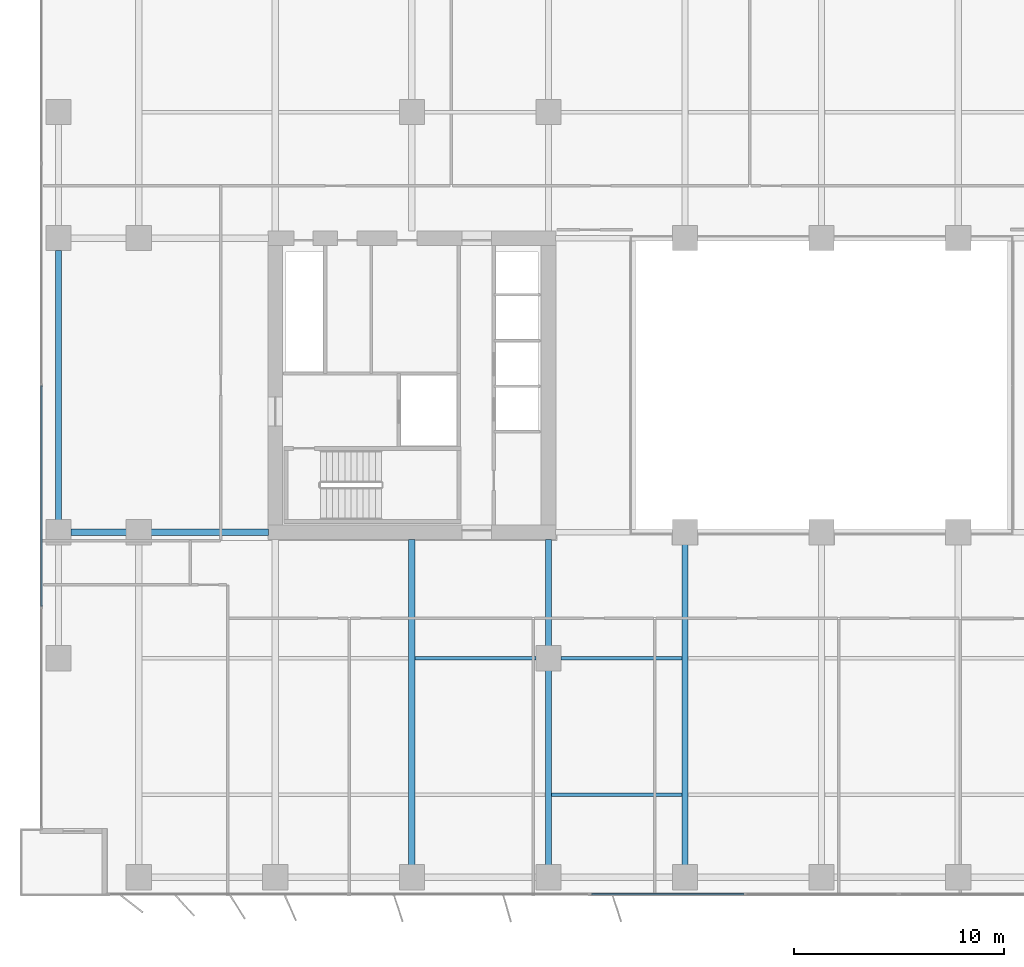
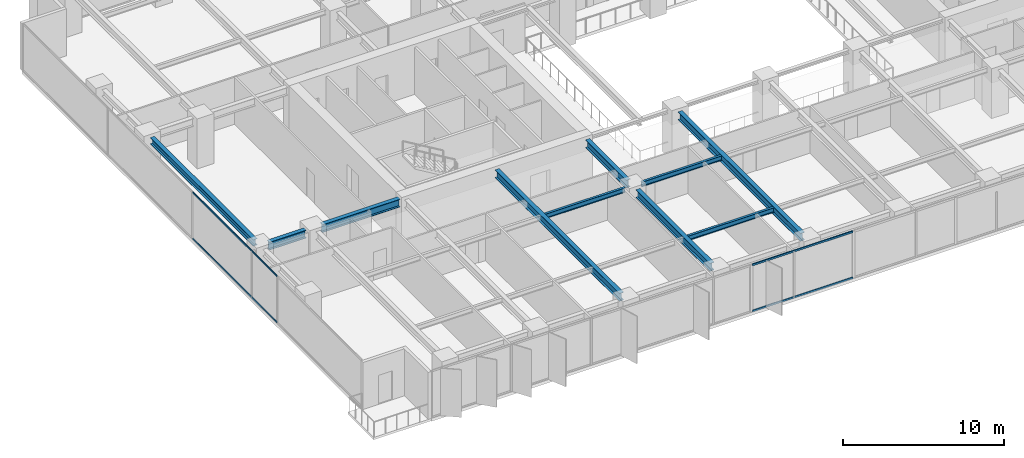
# One storey, part 3 of 20: 10 beams, 4 members, 2 elements without a shape of their own.
"""IFC4 building model written with IfcOpenShell, lengths in metres."""

from ifc_helpers import new_model, si_unit, direction, frame, origin, origin_2d, place, context, subcontext, project, spatial, rectangle, i_section, extrude, material, layer, layer_set, material_profile, profile_set, type_object, element, aggregate, save


model = new_model("IFC4")

# Units and contexts
model_context = context("Model", 3, precision=1e-05, world=origin(), true_north=direction((0.0, 1.0)))
body_context = subcontext(model_context, "Body", "Model", "MODEL_VIEW")
ifc_project = project(units=[si_unit("LENGTHUNIT", "METRE"), si_unit("AREAUNIT", "SQUARE_METRE"), si_unit("VOLUMEUNIT", "CUBIC_METRE"), si_unit("PLANEANGLEUNIT", "RADIAN"), si_unit("MASSUNIT", "GRAM", prefix="KILO")], contexts=[model_context])

# Site, building, storey
site_placement = place(None, origin())
site = spatial("IfcSite", under=ifc_project, at=site_placement, CompositionType="ELEMENT")
building_placement = place(site_placement, origin())
building = spatial("IfcBuilding", under=site, at=building_placement, Name="Putna Gate Headquarters", CompositionType="ELEMENT")
storey_placement = place(building_placement, frame((0.0, 0.0, 97.39990234375)))
storey = spatial("IfcBuildingStorey", under=building, at=storey_placement, Name="L23", CompositionType="ELEMENT", Elevation=97.39990234375)

# Beams
ifc_material_1 = material(Name="Steel S355J2", Category="steel")
ifc_material_profile_1 = material_profile(ifc_material_1, i_section(OverallWidth=0.300048828125, OverallDepth=0.60009765625, WebThickness=0.015380859375, FlangeThickness=0.030029296875, at=origin_2d()), Name="Steel S355J2")
ifc_profile_set_1 = profile_set([ifc_material_profile_1], Name="Steel S355J2")
beam_type_1 = type_object("IfcBeamType", Name="BM-GIRD-Z2-HEB600", PredefinedType="USERDEFINED", material=ifc_profile_set_1)
beam_1_placement = place(storey_placement, frame((3.26806640625, 19.0, 3.26513671875), z_axis=(1.0, 0.0, 0.0), x_axis=(0.0, 1.0, 0.0)))
element("IfcBeam", 1, at=beam_1_placement, inside=storey, type_object=beam_type_1, Name="L23 West Wing Girder Y19-1", ObjectType="GIRDER", PredefinedType="USERDEFINED", context=body_context, shape_type="SweptSolid", body=[
    extrude(i_section(OverallWidth=0.300048828125, OverallDepth=0.60009765625, WebThickness=0.015380859375, FlangeThickness=0.030029296875, at=origin_2d()), origin(), (0.0, 0.0, 1.0), 2.64404296875),
])
beam_2_placement = place(storey_placement, frame((7.087890625, 19.0, 3.26513671875), z_axis=(1.0, 0.0, 0.0), x_axis=(0.0, 1.0, 0.0)))
element("IfcBeam", 2, at=beam_2_placement, inside=storey, type_object=beam_type_1, Name="L23 West Wing Girder Y19-2", ObjectType="GIRDER", PredefinedType="USERDEFINED", context=body_context, shape_type="SweptSolid", body=[
    extrude(i_section(OverallWidth=0.300048828125, OverallDepth=0.60009765625, WebThickness=0.015380859375, FlangeThickness=0.030029296875, at=origin_2d()), origin(), (0.0, 0.0, 1.0), 5.5771484375),
])
beam_3_placement = place(storey_placement, frame((19.5, 3.16796875, 3.26513671875), z_axis=(0.0, 1.0, 0.0), x_axis=(-1.0, 0.0, 0.0)))
element("IfcBeam", 3, at=beam_3_placement, inside=storey, type_object=beam_type_1, Name="L23 South Primary Girder X19", ObjectType="GIRDER", PredefinedType="USERDEFINED", context=body_context, shape_type="SweptSolid", body=[
    extrude(i_section(OverallWidth=0.300048828125, OverallDepth=0.60009765625, WebThickness=0.015380859375, FlangeThickness=0.030029296875, at=origin_2d()), origin(), (0.0, 0.0, 1.0), 15.4970703125),
])
beam_4_placement = place(storey_placement, frame((26.0, 3.16796875, 3.26513671875), z_axis=(0.0, 1.0, 0.0), x_axis=(-1.0, 0.0, 0.0)))
element("IfcBeam", 4, at=beam_4_placement, inside=storey, type_object=beam_type_1, Name="L23 South Primary Girder X26-1", ObjectType="GIRDER", PredefinedType="USERDEFINED", context=body_context, shape_type="SweptSolid", body=[
    extrude(i_section(OverallWidth=0.300048828125, OverallDepth=0.60009765625, WebThickness=0.015380859375, FlangeThickness=0.030029296875, at=origin_2d()), origin(), (0.0, 0.0, 1.0), 9.244140625),
])
beam_5_placement = place(storey_placement, frame((26.0, 13.587890625, 3.26513671875), z_axis=(0.0, 1.0, 0.0), x_axis=(-1.0, 0.0, 0.0)))
element("IfcBeam", 5, at=beam_5_placement, inside=storey, type_object=beam_type_1, Name="L23 South Primary Girder X26-2", ObjectType="GIRDER", PredefinedType="USERDEFINED", context=body_context, shape_type="SweptSolid", body=[
    extrude(i_section(OverallWidth=0.300048828125, OverallDepth=0.60009765625, WebThickness=0.015380859375, FlangeThickness=0.030029296875, at=origin_2d()), origin(), (0.0, 0.0, 1.0), 5.0771484375),
])
beam_6_placement = place(storey_placement, frame((32.5, 3.16796875, 3.26513671875), z_axis=(0.0, 1.0, 0.0), x_axis=(-1.0, 0.0, 0.0)))
element("IfcBeam", 6, at=beam_6_placement, inside=storey, type_object=beam_type_1, Name="L23 South Primary Girder X32", ObjectType="GIRDER", PredefinedType="USERDEFINED", context=body_context, shape_type="SweptSolid", body=[
    extrude(i_section(OverallWidth=0.300048828125, OverallDepth=0.60009765625, WebThickness=0.015380859375, FlangeThickness=0.030029296875, at=origin_2d()), origin(), (0.0, 0.0, 1.0), 15.244140625),
])
ifc_material_profile_2 = material_profile(ifc_material_1, i_section(OverallWidth=0.169921875, OverallDepth=0.360107421875, WebThickness=0.008056640625, FlangeThickness=0.0126953125, at=origin_2d()), Name="Steel S355J2")
ifc_profile_set_2 = profile_set([ifc_material_profile_2], Name="Steel S355J2")
beam_type_2 = type_object("IfcBeamType", Name="BM-SEC-Z2-IPE360", PredefinedType="BEAM", material=ifc_profile_set_2)
beam_7_placement = place(storey_placement, frame((19.654052734375, 13.0, 3.385009765625), z_axis=(1.0, 0.0, 0.0), x_axis=(0.0, 1.0, 0.0)))
element("IfcBeam", 7, at=beam_7_placement, inside=storey, type_object=beam_type_2, Name="L23 South Secondary Beam 3", PredefinedType="BEAM", context=body_context, shape_type="SweptSolid", body=[
    extrude(i_section(OverallWidth=0.169921875, OverallDepth=0.360107421875, WebThickness=0.008056640625, FlangeThickness=0.0126953125, at=origin_2d()), origin(), (0.0, 0.0, 1.0), 5.758056640625),
])
beam_8_placement = place(storey_placement, frame((26.154052734375, 6.5, 3.385009765625), z_axis=(1.0, 0.0, 0.0), x_axis=(0.0, 1.0, 0.0)))
element("IfcBeam", 8, at=beam_8_placement, inside=storey, type_object=beam_type_2, Name="L23 South Secondary Beam 4", PredefinedType="BEAM", context=body_context, shape_type="SweptSolid", body=[
    extrude(i_section(OverallWidth=0.169921875, OverallDepth=0.360107421875, WebThickness=0.008056640625, FlangeThickness=0.0126953125, at=origin_2d()), origin(), (0.0, 0.0, 1.0), 6.19189453125),
])
beam_9_placement = place(storey_placement, frame((26.587890625, 13.0, 3.385009765625), z_axis=(1.0, 0.0, 0.0), x_axis=(0.0, 1.0, 0.0)))
element("IfcBeam", 9, at=beam_9_placement, inside=storey, type_object=beam_type_2, Name="L23 South Secondary Beam 4", PredefinedType="BEAM", context=body_context, shape_type="SweptSolid", body=[
    extrude(i_section(OverallWidth=0.169921875, OverallDepth=0.360107421875, WebThickness=0.008056640625, FlangeThickness=0.0126953125, at=origin_2d()), origin(), (0.0, 0.0, 1.0), 5.758056640625),
])
ifc_material_profile_3 = material_profile(ifc_material_1, i_section(OverallWidth=0.300048828125, OverallDepth=0.489990234375, WebThickness=0.011962890625, FlangeThickness=0.02294921875, at=origin_2d()), Name="Steel S355J2")
ifc_profile_set_3 = profile_set([ifc_material_profile_3], Name="Steel S355J2")
beam_type_3 = type_object("IfcBeamType", Name="BM-SPAN-Z2-HEA500", PredefinedType="SPANDREL", material=ifc_profile_set_3)
beam_10_placement = place(storey_placement, frame((2.679931640625, 19.587890625, 3.320068359375), z_axis=(0.0, 1.0, 0.0), x_axis=(-1.0, 0.0, 0.0)))
element("IfcBeam", 10, at=beam_10_placement, inside=storey, type_object=beam_type_3, Name="L23 W End Spandrel 2", PredefinedType="SPANDREL", context=body_context, shape_type="SweptSolid", body=[
    extrude(i_section(OverallWidth=0.300048828125, OverallDepth=0.489990234375, WebThickness=0.011962890625, FlangeThickness=0.02294921875, at=origin_2d()), origin(), (0.0, 0.0, 1.0), 12.82421875),
])

# Curtain wall, members
ifc_material_2 = material(Name="Anodised bronze aluminium curtain wall", Category="aluminium")
ifc_layer_1 = layer(ifc_material_2, 0.159912109375)
ifc_layer_set_1 = layer_set([ifc_layer_1], Name="Anodised bronze aluminium curtain wall")
curtain_wall_type_1 = type_object("IfcCurtainWallType", Name="CW-SYS-Z2", PredefinedType="USERDEFINED", material=ifc_layer_set_1)
curtain_wall_1_placement = place(storey_placement, origin())
curtain_wall_1 = element("IfcCurtainWall", 11, at=curtain_wall_1_placement, inside=storey, type_object=curtain_wall_type_1, Name="L23 West Curtain Wall", ObjectType="STICK CURTAIN WALL", PredefinedType="USERDEFINED")
ifc_material_3 = material(Name="Anodised bronze aluminium EN AW-6060", Category="aluminium")
ifc_material_profile_4 = material_profile(ifc_material_3, rectangle(XDim=0.06494140625, YDim=0.1201171875, at=origin_2d()), Name="Anodised bronze aluminium EN AW-6060")
ifc_profile_set_4 = profile_set([ifc_material_profile_4], Name="Anodised bronze aluminium EN AW-6060")
member_type_1 = type_object("IfcMemberType", Name="TRAN-CWT-2", PredefinedType="USERDEFINED", material=ifc_profile_set_4)
member_1_placement = place(storey_placement, frame((1.8798828125, 15.482421875, 0.03271484375), z_axis=(0.0, 1.0, 0.0), x_axis=(-1.0, 0.0, 0.0)))
member_1 = element("IfcMember", 12, at=member_1_placement, type_object=member_type_1, Name="CWS-2 transom 2.1", ObjectType="TRANSOM", PredefinedType="USERDEFINED", context=body_context, shape_type="SweptSolid", body=[
    extrude(rectangle(XDim=0.06494140625, YDim=0.1201171875, at=origin_2d()), origin(), (0.0, 0.0, 1.0), 10.485107421875),
])
member_2_placement = place(storey_placement, frame((1.8798828125, 15.482421875, 3.53271484375), z_axis=(0.0, 1.0, 0.0), x_axis=(-1.0, 0.0, 0.0)))
member_2 = element("IfcMember", 13, at=member_2_placement, type_object=member_type_1, Name="CWS-2 transom 2.2", ObjectType="TRANSOM", PredefinedType="USERDEFINED", context=body_context, shape_type="SweptSolid", body=[
    extrude(rectangle(XDim=0.06494140625, YDim=0.1201171875, at=origin_2d()), origin(), (0.0, 0.0, 1.0), 10.485107421875),
])
aggregate(curtain_wall_1, [member_1, member_2])

ifc_layer_2 = layer(ifc_material_2, 0.179931640625)
ifc_layer_set_2 = layer_set([ifc_layer_2], Name="Anodised bronze aluminium curtain wall")
curtain_wall_type_2 = type_object("IfcCurtainWallType", Name="CW-SYS-ATR", PredefinedType="USERDEFINED", material=ifc_layer_set_2)
curtain_wall_2_placement = place(storey_placement, origin())
curtain_wall_2 = element("IfcCurtainWall", 14, at=curtain_wall_2_placement, inside=storey, type_object=curtain_wall_type_2, Name="L23 South Atrium Clear Glazing", ObjectType="ATRIUM GLAZING", PredefinedType="USERDEFINED")
ifc_material_profile_5 = material_profile(ifc_material_3, rectangle(XDim=0.070068359375, YDim=0.139892578125, at=origin_2d()), Name="Anodised bronze aluminium EN AW-6060")
ifc_profile_set_5 = profile_set([ifc_material_profile_5], Name="Anodised bronze aluminium EN AW-6060")
member_type_2 = type_object("IfcMemberType", Name="TRAN-CWT-AT", PredefinedType="USERDEFINED", material=ifc_profile_set_5)
member_3_placement = place(storey_placement, frame((28.070068359375, 1.780029296875, 0.03515625), z_axis=(1.0, 0.0, 0.0), x_axis=(0.0, 1.0, 0.0)))
member_3 = element("IfcMember", 15, at=member_3_placement, type_object=member_type_2, Name="CWS-AT transom 1.1", ObjectType="TRANSOM", PredefinedType="USERDEFINED", context=body_context, shape_type="SweptSolid", body=[
    extrude(rectangle(XDim=0.070068359375, YDim=0.139892578125, at=origin_2d()), origin(), (0.0, 0.0, 1.0), 7.228271484375),
])
member_4_placement = place(storey_placement, frame((28.070068359375, 1.780029296875, 3.530029296875), z_axis=(1.0, 0.0, 0.0), x_axis=(0.0, 1.0, 0.0)))
member_4 = element("IfcMember", 16, at=member_4_placement, type_object=member_type_2, Name="CWS-AT transom 1.2", ObjectType="TRANSOM", PredefinedType="USERDEFINED", context=body_context, shape_type="SweptSolid", body=[
    extrude(rectangle(XDim=0.070068359375, YDim=0.139892578125, at=origin_2d()), origin(), (0.0, 0.0, 1.0), 7.228271484375),
])
aggregate(curtain_wall_2, [member_3, member_4])

save(model, "model.ifc")
